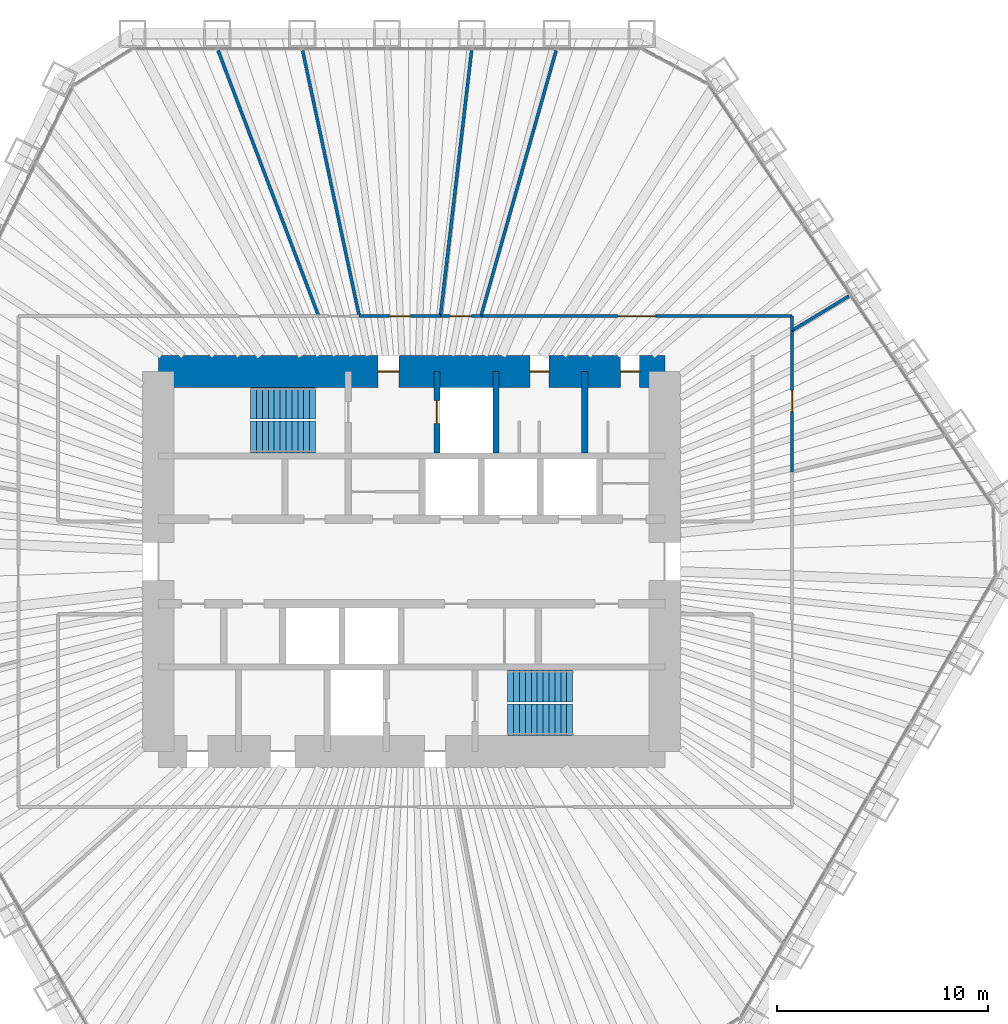
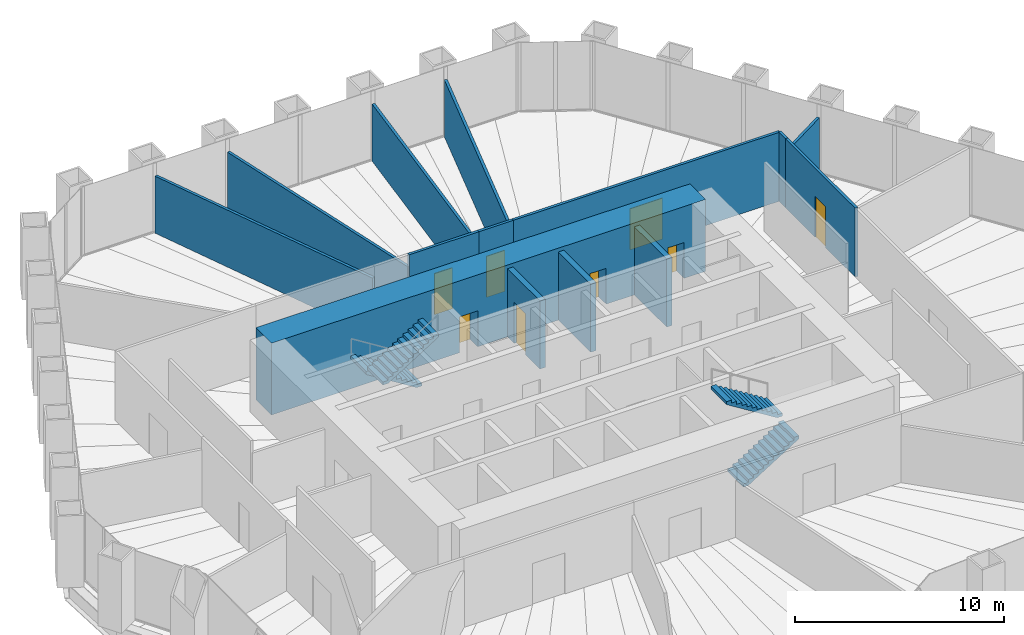
# One storey, part 12 of 13: 14 walls, 8 doors, 4 stair flights, 8 openings, 2 elements without a shape of their own.
"""IFC4 building model written with IfcOpenShell, lengths in metres."""

from ifc_helpers import new_model, si_unit, direction, frame, frame_2d, origin, place, context, subcontext, project, spatial, polyline, rectangle, outline, extrude, material, layer, layer_set, type_object, element, fill, aggregate, save


model = new_model("IFC4")

# Units and contexts
model_context = context("Model", 3, precision=1e-05, world=origin(), true_north=direction((0.0, 1.0)))
body_context = subcontext(model_context, "Body", "Model", "MODEL_VIEW")
ifc_project = project(units=[si_unit("LENGTHUNIT", "METRE"), si_unit("AREAUNIT", "SQUARE_METRE"), si_unit("VOLUMEUNIT", "CUBIC_METRE"), si_unit("PLANEANGLEUNIT", "RADIAN"), si_unit("MASSUNIT", "GRAM", prefix="KILO")], contexts=[model_context])

# Site, building, storey
site_placement = place(None, origin())
site = spatial("IfcSite", under=ifc_project, at=site_placement, CompositionType="ELEMENT")
building_placement = place(site_placement, origin())
building = spatial("IfcBuilding", under=site, at=building_placement, Name="Qingtian Harvest Tower", CompositionType="ELEMENT")
storey_placement = place(building_placement, frame((0.0, 0.0, 132.39990234375)))
storey = spatial("IfcBuildingStorey", under=building, at=storey_placement, Name="L27", CompositionType="ELEMENT", Elevation=132.39990234375)

# Wall, opening, door
ifc_material_1 = material(Name="Precast concrete shaft panel", Category="concrete")
ifc_layer_1 = layer(ifc_material_1, 0.300048828125)
ifc_layer_set_1 = layer_set([ifc_layer_1], Name="Core shaft partition SW1 300")
wall_type_1 = type_object("IfcWallType", Name="Core shaft partition SW1 300", PredefinedType="PARTITIONING", material=ifc_layer_set_1)
wall_1_placement = place(storey_placement, frame((1.199951171875, 5.14990234375, 0.0), z_axis=(0.0, 0.0, 1.0), x_axis=(0.0, 1.0, 0.0)))
wall_1 = element("IfcWall", 1, at=wall_1_placement, inside=storey, type_object=wall_type_1, Name="Core shaft partition XN2 L27", PredefinedType="PARTITIONING", context=body_context, shape_type="SweptSolid", body=[
    extrude(rectangle(XDim=3.85009765625, YDim=0.300048828125, at=frame_2d((1.925048828125, 0.0))), origin(), (0.0, 0.0, 1.0), 3.97998046875),
])
opening_1_placement = place(wall_1_placement, frame((1.375, 0.0, 0.0)))
opening_1 = element("IfcOpeningElement", 2, at=opening_1_placement, cuts=wall_1, Name="Opening LD1", PredefinedType="OPENING", context=body_context, shape_type="SweptSolid", body=[
    extrude(rectangle(XDim=1.10009765625, YDim=2.39990234375, at=frame_2d((0.550048828125, 1.199951171875))), frame((0.0, 0.159912109375, 0.0), z_axis=(0.0, -1.0, 0.0), x_axis=(1.0, 0.0, 0.0)), (0.0, 0.0, 1.0), 0.320068359375),
])
ifc_material_2 = material(Name="Stainless steel lift landing door", Category="steel")
door_type_1 = type_object("IfcDoorType", Name="Lift landing door LD1 1 HR", OperationType="DOUBLE_DOOR_SLIDING", PredefinedType="DOOR", material=ifc_material_2)
door_1_placement = place(opening_1_placement, origin())
door_1 = element("IfcDoor", 3, at=door_1_placement, inside=storey, type_object=door_type_1, Name="FL1 landing door L27", OperationType="DOUBLE_DOOR_SLIDING", OverallHeight=2.39990234375, OverallWidth=1.10009765625, PredefinedType="DOOR", context=body_context, shape_type="SweptSolid", body=[
    extrude(rectangle(XDim=1.10009765625, YDim=2.39990234375, at=frame_2d((0.550048828125, 1.199951171875))), frame((0.0, 0.02490234375, 0.0), z_axis=(0.0, -1.0, 0.0), x_axis=(1.0, 0.0, 0.0)), (0.0, 0.0, 1.0), 0.050048828125),
])
fill(opening_1, door_1)

# Walls
for number, where, z_axis, x_axis, name in (
    (4, (4.0, 5.14990234375, 0.0), (0.0, 0.0, 1.0), (0.0, 1.0, 0.0), "Core shaft partition XN3 L27"),
    (5, (8.199951171875, 5.14990234375, 0.0), (0.0, 0.0, 1.0), (0.0, 1.0, 0.0), "Core shaft partition XN4 L27"),
):
    element("IfcWall", number, at=place(storey_placement, frame(where, z_axis=z_axis, x_axis=x_axis)), inside=storey, type_object=wall_type_1, Name=name, PredefinedType="PARTITIONING", context=body_context, shape_type="SweptSolid", body=[
        extrude(rectangle(XDim=3.85009765625, YDim=0.300048828125, at=frame_2d((1.925048828125, 0.0))), origin(), (0.0, 0.0, 1.0), 3.97998046875),
    ])

# Wall, openings, doors
ifc_material_3 = material(Name="Concrete fc' 70 MPa", Category="concrete")
ifc_layer_2 = layer(ifc_material_3, 1.5)
ifc_layer_set_2 = layer_set([ifc_layer_2], Name="Core wall RC1 1500")
wall_type_2 = type_object("IfcWallType", Name="Core wall RC1 1500", PredefinedType="SHEAR", material=ifc_layer_set_2)
wall_2_placement = place(storey_placement, frame((-12.0, 9.0, 0.0), z_axis=(0.0, 0.0, 1.0), x_axis=(1.0, 0.0, 0.0)))
wall_2 = element("IfcWall", 6, at=wall_2_placement, inside=storey, type_object=wall_type_2, Name="Core wall CN L27", PredefinedType="SHEAR", context=body_context, shape_type="SweptSolid", body=[
    extrude(rectangle(XDim=24.0, YDim=1.5, at=frame_2d((12.0, 0.0))), origin(), (0.0, 0.0, 1.0), 4.2001953125),
])
opening_2_placement = place(wall_2_placement, frame((10.39990234375, 0.0, 0.0)))
opening_2 = element("IfcOpeningElement", 7, at=opening_2_placement, cuts=wall_2, Name="Opening FD1", PredefinedType="OPENING", context=body_context, shape_type="SweptSolid", body=[
    extrude(rectangle(XDim=1.0, YDim=2.10009765625, at=frame_2d((0.5, 1.050048828125))), frame((0.0, 0.760009765625, 0.0), z_axis=(0.0, -1.0, 0.0), x_axis=(1.0, 0.0, 0.0)), (0.0, 0.0, 1.0), 1.52001953125),
])
opening_3_placement = place(wall_2_placement, frame((17.60009765625, 0.0, 0.0)))
opening_3 = element("IfcOpeningElement", 8, at=opening_3_placement, cuts=wall_2, Name="Opening D1", PredefinedType="OPENING", context=body_context, shape_type="SweptSolid", body=[
    extrude(rectangle(XDim=0.89990234375, YDim=2.10009765625, at=frame_2d((0.449951171875, 1.050048828125))), frame((0.0, 0.760009765625, 0.0), z_axis=(0.0, -1.0, 0.0), x_axis=(1.0, 0.0, 0.0)), (0.0, 0.0, 1.0), 1.52001953125),
])
opening_4_placement = place(wall_2_placement, frame((21.89990234375, 0.0, 0.0)))
opening_4 = element("IfcOpeningElement", 9, at=opening_4_placement, cuts=wall_2, Name="Opening D1", PredefinedType="OPENING", context=body_context, shape_type="SweptSolid", body=[
    extrude(rectangle(XDim=0.89990234375, YDim=2.10009765625, at=frame_2d((0.449951171875, 1.050048828125))), frame((0.0, 0.760009765625, 0.0), z_axis=(0.0, -1.0, 0.0), x_axis=(1.0, 0.0, 0.0)), (0.0, 0.0, 1.0), 1.52001953125),
])
ifc_material_4 = material(Name="Steel-faced door leaf", Category="steel")
door_type_2 = type_object("IfcDoorType", Name="Fire door FD1 single 1 HR", OperationType="SINGLE_SWING_LEFT", PredefinedType="DOOR", material=ifc_material_4)
door_2_placement = place(opening_2_placement, origin())
door_2 = element("IfcDoor", 10, at=door_2_placement, inside=storey, type_object=door_type_2, Name="V1 door L27", OperationType="SINGLE_SWING_LEFT", OverallHeight=2.10009765625, OverallWidth=1.0, PredefinedType="DOOR", context=body_context, shape_type="SweptSolid", body=[
    extrude(rectangle(XDim=1.0, YDim=2.10009765625, at=frame_2d((0.5, 1.050048828125))), frame((0.0, 0.02490234375, 0.0), z_axis=(0.0, -1.0, 0.0), x_axis=(1.0, 0.0, 0.0)), (0.0, 0.0, 1.0), 0.050048828125),
])
fill(opening_2, door_2)
ifc_material_5 = material(Name="Laminated timber door leaf", Category="wood")
door_type_3 = type_object("IfcDoorType", Name="Toilet door D1 single", OperationType="SINGLE_SWING_LEFT", PredefinedType="DOOR", material=ifc_material_5)
door_3_placement = place(opening_3_placement, origin())
door_3 = element("IfcDoor", 11, at=door_3_placement, inside=storey, type_object=door_type_3, Name="WCM door L27", OperationType="SINGLE_SWING_LEFT", OverallHeight=2.10009765625, OverallWidth=0.89990234375, PredefinedType="DOOR", context=body_context, shape_type="SweptSolid", body=[
    extrude(rectangle(XDim=0.89990234375, YDim=2.10009765625, at=frame_2d((0.449951171875, 1.050048828125))), frame((0.0, 0.02490234375, 0.0), z_axis=(0.0, -1.0, 0.0), x_axis=(1.0, 0.0, 0.0)), (0.0, 0.0, 1.0), 0.050048828125),
])
fill(opening_3, door_3)
door_4_placement = place(opening_4_placement, origin())
door_4 = element("IfcDoor", 12, at=door_4_placement, inside=storey, type_object=door_type_3, Name="WCF door L27", OperationType="SINGLE_SWING_LEFT", OverallHeight=2.10009765625, OverallWidth=0.89990234375, PredefinedType="DOOR", context=body_context, shape_type="SweptSolid", body=[
    extrude(rectangle(XDim=0.89990234375, YDim=2.10009765625, at=frame_2d((0.449951171875, 1.050048828125))), frame((0.0, 0.02490234375, 0.0), z_axis=(0.0, -1.0, 0.0), x_axis=(1.0, 0.0, 0.0)), (0.0, 0.0, 1.0), 0.050048828125),
])
fill(opening_4, door_4)

# Wall
ifc_material_6 = material(Name="Gypsum board on steel studs", Category="steel")
ifc_layer_3 = layer(ifc_material_6, 0.14990234375)
ifc_layer_set_3 = layer_set([ifc_layer_3], Name="Partition PT1 150")
wall_type_3 = type_object("IfcWallType", Name="Partition PT1 150", PredefinedType="PARTITIONING", material=ifc_layer_set_3)
wall_3_placement = place(storey_placement, frame((6.846435546875, 24.203857421875, 0.0), z_axis=(0.0, 0.0, 1.0), x_axis=(-0.272184461049, -0.962245093084, 0.0)))
element("IfcWall", 13, at=wall_3_placement, inside=storey, type_object=wall_type_3, Name="Cafe wall L27", PredefinedType="PARTITIONING", context=body_context, shape_type="SweptSolid", body=[
    extrude(rectangle(XDim=13.072509765625, YDim=0.14990234375, at=frame_2d((6.5361328125, 0.0))), origin(), (0.0, 0.0, 1.0), 3.330078125),
])

# Wall, opening, door
wall_4_placement = place(storey_placement, frame((3.288330078125, 11.625, 0.0), z_axis=(0.0, 0.0, 1.0), x_axis=(1.0, 0.0, 0.0)))
wall_4 = element("IfcWall", 14, at=wall_4_placement, inside=storey, type_object=wall_type_3, Name="Cafe wall L27", PredefinedType="PARTITIONING", context=body_context, shape_type="SweptSolid", body=[
    extrude(rectangle(XDim=14.736572265625, YDim=0.14990234375, at=frame_2d((7.3681640625, 0.0))), origin(), (0.0, 0.0, 1.0), 4.030029296875),
])
opening_5_placement = place(wall_4_placement, frame((6.46826171875, 0.0, 0.0)))
opening_5 = element("IfcOpeningElement", 15, at=opening_5_placement, cuts=wall_4, Name="Opening D3", PredefinedType="OPENING", context=body_context, shape_type="SweptSolid", body=[
    extrude(rectangle(XDim=1.800048828125, YDim=2.39990234375, at=frame_2d((0.89990234375, 1.199951171875))), frame((0.0, 0.0849609375, 0.0), z_axis=(0.0, -1.0, 0.0), x_axis=(1.0, 0.0, 0.0)), (0.0, 0.0, 1.0), 0.169921875),
])
ifc_material_7 = material(Name="Laminated timber door leaf", Category="wood")
door_type_4 = type_object("IfcDoorType", Name="Room door D3 double", OperationType="DOUBLE_DOOR_DOUBLE_SWING", PredefinedType="DOOR", material=ifc_material_7)
door_5_placement = place(opening_5_placement, origin())
door_5 = element("IfcDoor", 16, at=door_5_placement, inside=storey, type_object=door_type_4, Name="Cafe door L27", OperationType="DOUBLE_DOOR_DOUBLE_SWING", OverallHeight=2.39990234375, OverallWidth=1.800048828125, PredefinedType="DOOR", context=body_context, shape_type="SweptSolid", body=[
    extrude(rectangle(XDim=1.800048828125, YDim=2.39990234375, at=frame_2d((0.89990234375, 1.199951171875))), frame((0.0, 0.02490234375, 0.0), z_axis=(0.0, -1.0, 0.0), x_axis=(1.0, 0.0, 0.0)), (0.0, 0.0, 1.0), 0.050048828125),
])
fill(opening_5, door_5)

# Walls
wall_5_placement = place(storey_placement, frame((18.02490234375, 11.625, 0.0), z_axis=(0.0, 0.0, 1.0), x_axis=(0.0, -1.0, 0.0)))
element("IfcWall", 17, at=wall_5_placement, inside=storey, type_object=wall_type_3, Name="Cafe wall L27", PredefinedType="PARTITIONING", context=body_context, shape_type="SweptSolid", body=[
    extrude(rectangle(XDim=0.684326171875, YDim=0.14990234375, at=frame_2d((0.34228515625, 0.0))), origin(), (0.0, 0.0, 1.0), 4.030029296875),
])
wall_6_placement = place(storey_placement, frame((20.71142578125, 12.571044921875, 0.0), z_axis=(0.0, 0.0, 1.0), x_axis=(-0.854890890653, -0.518807830587, 0.0)))
element("IfcWall", 18, at=wall_6_placement, inside=storey, type_object=wall_type_3, Name="Pantry wall L27", PredefinedType="PARTITIONING", context=body_context, shape_type="SweptSolid", body=[
    extrude(rectangle(XDim=3.142578125, YDim=0.14990234375, at=frame_2d((1.5712890625, 0.0))), origin(), (0.0, 0.0, 1.0), 3.330078125),
])

# Wall, opening, door
wall_7_placement = place(storey_placement, frame((18.02490234375, 10.940673828125, 0.0), z_axis=(0.0, 0.0, 1.0), x_axis=(0.0, -1.0, 0.0)))
wall_7 = element("IfcWall", 19, at=wall_7_placement, inside=storey, type_object=wall_type_3, Name="Pantry wall L27", PredefinedType="PARTITIONING", context=body_context, shape_type="SweptSolid", body=[
    extrude(rectangle(XDim=6.69384765625, YDim=0.14990234375, at=frame_2d((3.346923828125, 0.0))), origin(), (0.0, 0.0, 1.0), 4.030029296875),
])
opening_6_placement = place(wall_7_placement, frame((2.846923828125, 0.0, 0.0)))
opening_6 = element("IfcOpeningElement", 20, at=opening_6_placement, cuts=wall_7, Name="Opening D2", PredefinedType="OPENING", context=body_context, shape_type="SweptSolid", body=[
    extrude(rectangle(XDim=1.0, YDim=2.39990234375, at=frame_2d((0.5, 1.199951171875))), frame((0.0, 0.0849609375, 0.0), z_axis=(0.0, -1.0, 0.0), x_axis=(1.0, 0.0, 0.0)), (0.0, 0.0, 1.0), 0.169921875),
])
ifc_material_8 = material(Name="Laminated timber door leaf", Category="wood")
door_type_5 = type_object("IfcDoorType", Name="Room door D2 single", OperationType="SINGLE_SWING_LEFT", PredefinedType="DOOR", material=ifc_material_8)
door_6_placement = place(opening_6_placement, origin())
door_6 = element("IfcDoor", 21, at=door_6_placement, inside=storey, type_object=door_type_5, Name="Pantry door L27", OperationType="SINGLE_SWING_RIGHT", OverallHeight=2.39990234375, OverallWidth=1.0, PredefinedType="DOOR", context=body_context, shape_type="SweptSolid", body=[
    extrude(rectangle(XDim=1.0, YDim=2.39990234375, at=frame_2d((0.5, 1.199951171875))), frame((0.0, 0.02490234375, 0.0), z_axis=(0.0, -1.0, 0.0), x_axis=(1.0, 0.0, 0.0)), (0.0, 0.0, 1.0), 0.050048828125),
])
fill(opening_6, door_6)

# Walls
wall_8_placement = place(storey_placement, frame((-9.167236328125, 24.20654296875, 0.0), z_axis=(0.0, 0.0, 1.0), x_axis=(0.354156368181, -0.935186220427, 0.0)))
element("IfcWall", 22, at=wall_8_placement, inside=storey, type_object=wall_type_3, Name="Print room wall L27", PredefinedType="PARTITIONING", context=body_context, shape_type="SweptSolid", body=[
    extrude(rectangle(XDim=13.45361328125, YDim=0.14990234375, at=frame_2d((6.726806640625, 0.0))), origin(), (0.0, 0.0, 1.0), 3.330078125),
])
wall_9_placement = place(storey_placement, frame((-5.16259765625, 24.2021484375, 0.0), z_axis=(0.0, 0.0, 1.0), x_axis=(0.208618861146, -0.977997019819, 0.0)))
element("IfcWall", 23, at=wall_9_placement, inside=storey, type_object=wall_type_3, Name="Meeting room wall L27", PredefinedType="PARTITIONING", context=body_context, shape_type="SweptSolid", body=[
    extrude(rectangle(XDim=12.860107421875, YDim=0.14990234375, at=frame_2d((6.43017578125, 0.0))), origin(), (0.0, 0.0, 1.0), 3.330078125),
])

# Wall, opening, door
wall_10_placement = place(storey_placement, frame((-2.479736328125, 11.625, 0.0), z_axis=(0.0, 0.0, 1.0), x_axis=(1.0, 0.0, 0.0)))
wall_10 = element("IfcWall", 24, at=wall_10_placement, inside=storey, type_object=wall_type_3, Name="Meeting room wall L27", PredefinedType="PARTITIONING", context=body_context, shape_type="SweptSolid", body=[
    extrude(rectangle(XDim=3.845458984375, YDim=0.14990234375, at=frame_2d((1.9228515625, 0.0))), origin(), (0.0, 0.0, 1.0), 4.030029296875),
])
opening_7_placement = place(wall_10_placement, frame((1.422607421875, 0.0, 0.0)))
opening_7 = element("IfcOpeningElement", 25, at=opening_7_placement, cuts=wall_10, Name="Opening D2", PredefinedType="OPENING", context=body_context, shape_type="SweptSolid", body=[
    extrude(rectangle(XDim=1.0, YDim=2.39990234375, at=frame_2d((0.5, 1.199951171875))), frame((0.0, 0.0849609375, 0.0), z_axis=(0.0, -1.0, 0.0), x_axis=(1.0, 0.0, 0.0)), (0.0, 0.0, 1.0), 0.169921875),
])
door_7_placement = place(opening_7_placement, origin())
door_7 = element("IfcDoor", 26, at=door_7_placement, inside=storey, type_object=door_type_5, Name="Meeting room door L27", OperationType="SINGLE_SWING_RIGHT", OverallHeight=2.39990234375, OverallWidth=1.0, PredefinedType="DOOR", context=body_context, shape_type="SweptSolid", body=[
    extrude(rectangle(XDim=1.0, YDim=2.39990234375, at=frame_2d((0.5, 1.199951171875))), frame((0.0, 0.02490234375, 0.0), z_axis=(0.0, -1.0, 0.0), x_axis=(1.0, 0.0, 0.0)), (0.0, 0.0, 1.0), 0.050048828125),
])
fill(opening_7, door_7)

# Wall
wall_11_placement = place(storey_placement, frame((2.843017578125, 24.20068359375, 0.0), z_axis=(0.0, 0.0, 1.0), x_axis=(-0.116670084723, -0.993170726175, 0.0)))
element("IfcWall", 27, at=wall_11_placement, inside=storey, type_object=wall_type_3, Name="Store room wall L27", PredefinedType="PARTITIONING", context=body_context, shape_type="SweptSolid", body=[
    extrude(rectangle(XDim=12.662109375, YDim=0.14990234375, at=frame_2d((6.3310546875, 0.0))), origin(), (0.0, 0.0, 1.0), 3.330078125),
])

# Wall, opening, door
wall_12_placement = place(storey_placement, frame((1.36572265625, 11.625, 0.0), z_axis=(0.0, 0.0, 1.0), x_axis=(1.0, 0.0, 0.0)))
wall_12 = element("IfcWall", 28, at=wall_12_placement, inside=storey, type_object=wall_type_3, Name="Store room wall L27", PredefinedType="PARTITIONING", context=body_context, shape_type="SweptSolid", body=[
    extrude(rectangle(XDim=1.922607421875, YDim=0.14990234375, at=frame_2d((0.96142578125, 0.0))), origin(), (0.0, 0.0, 1.0), 4.030029296875),
])
opening_8_placement = place(wall_12_placement, frame((0.46142578125, 0.0, 0.0)))
opening_8 = element("IfcOpeningElement", 29, at=opening_8_placement, cuts=wall_12, Name="Opening D2", PredefinedType="OPENING", context=body_context, shape_type="SweptSolid", body=[
    extrude(rectangle(XDim=1.0, YDim=2.39990234375, at=frame_2d((0.5, 1.199951171875))), frame((0.0, 0.0849609375, 0.0), z_axis=(0.0, -1.0, 0.0), x_axis=(1.0, 0.0, 0.0)), (0.0, 0.0, 1.0), 0.169921875),
])
door_8_placement = place(opening_8_placement, origin())
door_8 = element("IfcDoor", 30, at=door_8_placement, inside=storey, type_object=door_type_5, Name="Store room door L27", OperationType="SINGLE_SWING_RIGHT", OverallHeight=2.39990234375, OverallWidth=1.0, PredefinedType="DOOR", context=body_context, shape_type="SweptSolid", body=[
    extrude(rectangle(XDim=1.0, YDim=2.39990234375, at=frame_2d((0.5, 1.199951171875))), frame((0.0, 0.02490234375, 0.0), z_axis=(0.0, -1.0, 0.0), x_axis=(1.0, 0.0, 0.0)), (0.0, 0.0, 1.0), 0.050048828125),
])
fill(opening_8, door_8)

# Stair, stair flights
ifc_material_9 = material(Name="Concrete fc' 35 MPa", Category="concrete")
stair_type = type_object("IfcStairType", Name="Special stair ST3 4200", PredefinedType="HALF_TURN_STAIR", material=ifc_material_9)
stair_1_placement = place(storey_placement, origin())
stair_1 = element("IfcStair", 31, at=stair_1_placement, inside=storey, type_object=stair_type, Name="Special stair S1 L27", PredefinedType="HALF_TURN_STAIR")
ifc_material_10 = material(Name="Concrete fc' 35 MPa", Category="concrete")
stair_flight_type = type_object("IfcStairFlightType", Name="Stair flight SF3 4200", PredefinedType="STRAIGHT", material=ifc_material_10)
stair_flight_1_placement = place(storey_placement, frame((-4.550048828125, 7.5, 0.0), z_axis=(0.0, 0.0, 1.0), x_axis=(-1.0, 0.0, 0.0)))
stair_flight_1 = element("IfcStairFlight", 32, at=stair_flight_1_placement, type_object=stair_flight_type, Name="S1 flight 1", NumberOfRisers=12, NumberOfTreads=11, PredefinedType="STRAIGHT", RiserHeight=0.175, TreadLength=0.28, context=body_context, shape_type="SweptSolid", body=[
    extrude(outline(polyline([(0.0, 0.0), (0.0, 0.175048828125), (0.280029296875, 0.175048828125), (0.280029296875, 0.35009765625), (0.56005859375, 0.35009765625), (0.56005859375, 0.52490234375), (0.840087890625, 0.52490234375), (0.840087890625, 0.699951171875), (1.1201171875, 0.699951171875), (1.1201171875, 0.875), (1.39990234375, 0.875), (1.39990234375, 1.050048828125), (1.679931640625, 1.050048828125), (1.679931640625, 1.22509765625), (1.9599609375, 1.22509765625), (1.9599609375, 1.39990234375), (2.239990234375, 1.39990234375), (2.239990234375, 1.574951171875), (2.52001953125, 1.574951171875), (2.52001953125, 1.75), (2.800048828125, 1.75), (2.800048828125, 1.925048828125), (3.080078125, 1.925048828125), (3.080078125, 2.10009765625), (3.080078125, 1.748291015625), (0.28271484375, 0.0), (0.0, 0.0)])), frame((0.0, 0.75, 0.0), z_axis=(0.0, -1.0, 0.0), x_axis=(1.0, 0.0, 0.0)), (0.0, 0.0, 1.0), 1.5),
])
stair_flight_2_placement = place(storey_placement, frame((-7.6298828125, 5.89990234375, 2.10009765625), z_axis=(0.0, 0.0, 1.0), x_axis=(1.0, 0.0, 0.0)))
stair_flight_2 = element("IfcStairFlight", 33, at=stair_flight_2_placement, type_object=stair_flight_type, Name="S1 flight 2", NumberOfRisers=12, NumberOfTreads=11, PredefinedType="STRAIGHT", RiserHeight=0.175, TreadLength=0.28, context=body_context, shape_type="SweptSolid", body=[
    extrude(outline(polyline([(0.0, 0.0), (0.0, 0.175048828125), (0.280029296875, 0.175048828125), (0.280029296875, 0.35009765625), (0.56005859375, 0.35009765625), (0.56005859375, 0.52490234375), (0.840087890625, 0.52490234375), (0.840087890625, 0.699951171875), (1.1201171875, 0.699951171875), (1.1201171875, 0.875), (1.39990234375, 0.875), (1.39990234375, 1.050048828125), (1.679931640625, 1.050048828125), (1.679931640625, 1.22509765625), (1.9599609375, 1.22509765625), (1.9599609375, 1.39990234375), (2.239990234375, 1.39990234375), (2.239990234375, 1.574951171875), (2.52001953125, 1.574951171875), (2.52001953125, 1.75), (2.800048828125, 1.75), (2.800048828125, 1.925048828125), (3.080078125, 1.925048828125), (3.080078125, 2.10009765625), (3.080078125, 1.748291015625), (0.28271484375, 0.0), (0.0, 0.0)])), frame((0.0, 0.75, 0.0), z_axis=(0.0, -1.0, 0.0), x_axis=(1.0, 0.0, 0.0)), (0.0, 0.0, 1.0), 1.5),
])
aggregate(stair_1, [stair_flight_1, stair_flight_2])

stair_2_placement = place(storey_placement, origin())
stair_2 = element("IfcStair", 34, at=stair_2_placement, inside=storey, type_object=stair_type, Name="Special stair S2 L27", PredefinedType="HALF_TURN_STAIR")
stair_flight_3_placement = place(storey_placement, frame((4.550048828125, -7.5, 0.0), z_axis=(0.0, 0.0, 1.0), x_axis=(1.0, 0.0, 0.0)))
stair_flight_3 = element("IfcStairFlight", 35, at=stair_flight_3_placement, type_object=stair_flight_type, Name="S2 flight 1", NumberOfRisers=12, NumberOfTreads=11, PredefinedType="STRAIGHT", RiserHeight=0.175, TreadLength=0.28, context=body_context, shape_type="SweptSolid", body=[
    extrude(outline(polyline([(0.0, 0.0), (0.0, 0.175048828125), (0.280029296875, 0.175048828125), (0.280029296875, 0.35009765625), (0.56005859375, 0.35009765625), (0.56005859375, 0.52490234375), (0.840087890625, 0.52490234375), (0.840087890625, 0.699951171875), (1.1201171875, 0.699951171875), (1.1201171875, 0.875), (1.39990234375, 0.875), (1.39990234375, 1.050048828125), (1.679931640625, 1.050048828125), (1.679931640625, 1.22509765625), (1.9599609375, 1.22509765625), (1.9599609375, 1.39990234375), (2.239990234375, 1.39990234375), (2.239990234375, 1.574951171875), (2.52001953125, 1.574951171875), (2.52001953125, 1.75), (2.800048828125, 1.75), (2.800048828125, 1.925048828125), (3.080078125, 1.925048828125), (3.080078125, 2.10009765625), (3.080078125, 1.748291015625), (0.28271484375, 0.0), (0.0, 0.0)])), frame((0.0, 0.75, 0.0), z_axis=(0.0, -1.0, 0.0), x_axis=(1.0, 0.0, 0.0)), (0.0, 0.0, 1.0), 1.5),
])
stair_flight_4_placement = place(storey_placement, frame((7.6298828125, -5.89990234375, 2.10009765625), z_axis=(0.0, 0.0, 1.0), x_axis=(-1.0, 0.0, 0.0)))
stair_flight_4 = element("IfcStairFlight", 36, at=stair_flight_4_placement, type_object=stair_flight_type, Name="S2 flight 2", NumberOfRisers=12, NumberOfTreads=11, PredefinedType="STRAIGHT", RiserHeight=0.175, TreadLength=0.28, context=body_context, shape_type="SweptSolid", body=[
    extrude(outline(polyline([(0.0, 0.0), (0.0, 0.175048828125), (0.280029296875, 0.175048828125), (0.280029296875, 0.35009765625), (0.56005859375, 0.35009765625), (0.56005859375, 0.52490234375), (0.840087890625, 0.52490234375), (0.840087890625, 0.699951171875), (1.1201171875, 0.699951171875), (1.1201171875, 0.875), (1.39990234375, 0.875), (1.39990234375, 1.050048828125), (1.679931640625, 1.050048828125), (1.679931640625, 1.22509765625), (1.9599609375, 1.22509765625), (1.9599609375, 1.39990234375), (2.239990234375, 1.39990234375), (2.239990234375, 1.574951171875), (2.52001953125, 1.574951171875), (2.52001953125, 1.75), (2.800048828125, 1.75), (2.800048828125, 1.925048828125), (3.080078125, 1.925048828125), (3.080078125, 2.10009765625), (3.080078125, 1.748291015625), (0.28271484375, 0.0), (0.0, 0.0)])), frame((0.0, 0.75, 0.0), z_axis=(0.0, -1.0, 0.0), x_axis=(1.0, 0.0, 0.0)), (0.0, 0.0, 1.0), 1.5),
])
aggregate(stair_2, [stair_flight_3, stair_flight_4])

save(model, "model.ifc")
